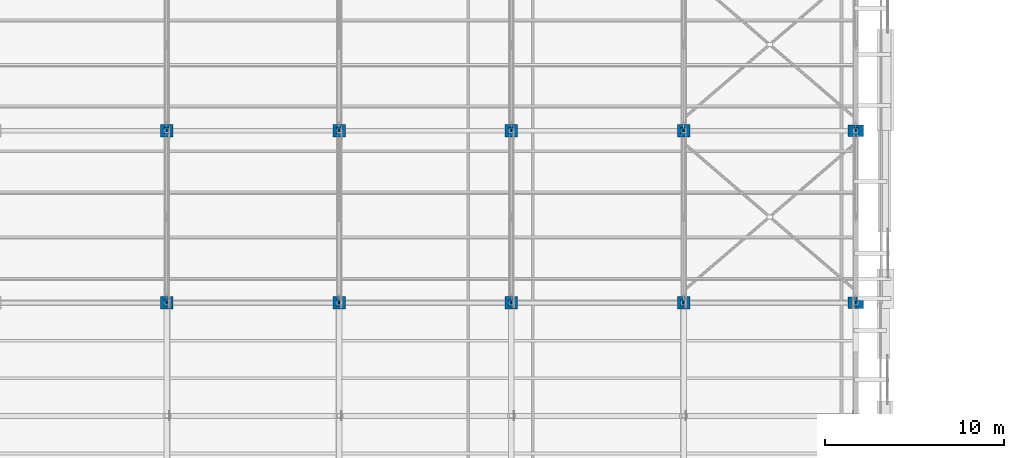
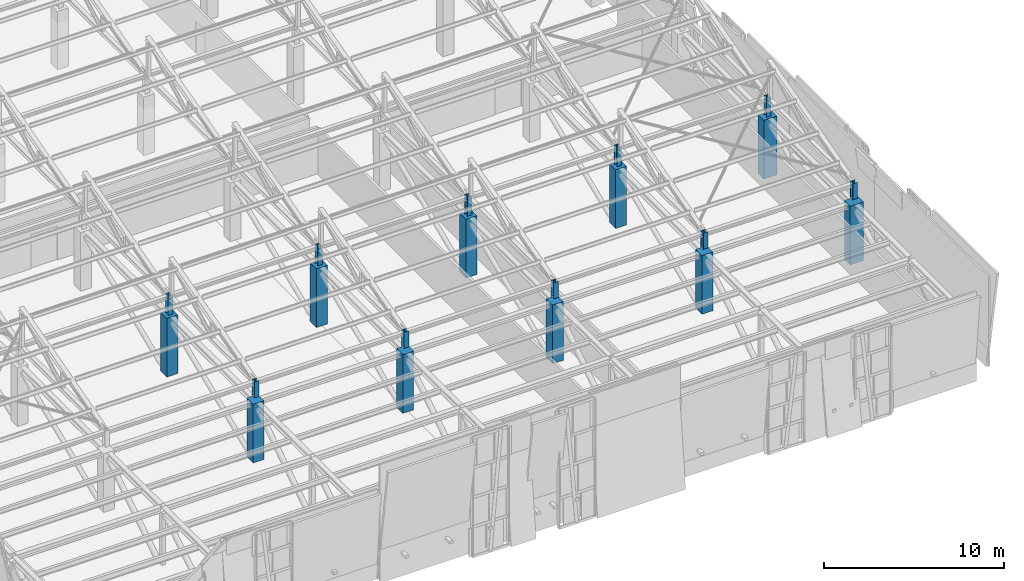
# One storey, part 4 of 71: 20 columns.
"""IFC4 building model written with IfcOpenShell, lengths in metres."""

from ifc_helpers import new_model, si_unit, direction, frame, origin, origin_2d, place, context, subcontext, project, spatial, rectangle, i_section, extrude, material, material_profile, profile_set, type_object, element, save


model = new_model("IFC4")

# Units and contexts
model_context = context("Model", 3, precision=1e-05, world=origin(), true_north=direction((0.0, 1.0)))
body_context = subcontext(model_context, "Body", "Model", "MODEL_VIEW")
ifc_project = project(units=[si_unit("LENGTHUNIT", "METRE"), si_unit("AREAUNIT", "SQUARE_METRE"), si_unit("VOLUMEUNIT", "CUBIC_METRE"), si_unit("PLANEANGLEUNIT", "RADIAN"), si_unit("MASSUNIT", "GRAM", prefix="KILO")], contexts=[model_context])

# Site, building, storey
site_placement = place(None, origin())
site = spatial("IfcSite", under=ifc_project, at=site_placement, CompositionType="ELEMENT")
building_placement = place(site_placement, origin())
building = spatial("IfcBuilding", under=site, at=building_placement, Name="Bempovik Park Faculty of Sciences", CompositionType="ELEMENT")
storey_placement = place(building_placement, frame((0.0, 0.0, 14.10009765625)))
storey = spatial("IfcBuildingStorey", under=building, at=storey_placement, Name="L03", CompositionType="ELEMENT", Elevation=14.10009765625)

# Columns
ifc_material_1 = material(Name="Steel S355", Category="steel")
ifc_material_profile_1 = material_profile(ifc_material_1, i_section(OverallWidth=0.300048828125, OverallDepth=0.300048828125, WebThickness=0.010986328125, FlangeThickness=0.01904296875, at=origin_2d()), Name="HEB 300")
ifc_profile_set_1 = profile_set([ifc_material_profile_1], Name="Steel S355")
column_type_1 = type_object("IfcColumnType", Name="C-14 HEB 300", PredefinedType="COLUMN", material=ifc_profile_set_1)
column_1_placement = place(storey_placement, frame((79.199951171875, 19.800048828125, 4.205810546875), z_axis=(0.0, 0.0, 1.0), x_axis=(1.0, 0.0, 0.0)))
element("IfcColumn", 1, at=column_1_placement, inside=storey, type_object=column_type_1, Name="Sawtooth Clerestory Steel Column V1 (79.2,19.8)", PredefinedType="COLUMN", context=body_context, shape_type="SweptSolid", body=[
    extrude(i_section(OverallWidth=0.300048828125, OverallDepth=0.300048828125, WebThickness=0.010986328125, FlangeThickness=0.01904296875, at=origin_2d()), origin(), (0.0, 0.0, 1.0), 1.093994140625),
])
column_2_placement = place(storey_placement, frame((79.199951171875, 29.39990234375, 3.98583984375), z_axis=(0.0, 0.0, 1.0), x_axis=(1.0, 0.0, 0.0)))
element("IfcColumn", 2, at=column_2_placement, inside=storey, type_object=column_type_1, Name="Sawtooth Clerestory Steel Column V1 (79.2,29.4)", PredefinedType="COLUMN", context=body_context, shape_type="SweptSolid", body=[
    extrude(i_section(OverallWidth=0.300048828125, OverallDepth=0.300048828125, WebThickness=0.010986328125, FlangeThickness=0.01904296875, at=origin_2d()), origin(), (0.0, 0.0, 1.0), 1.31396484375),
])
column_3_placement = place(storey_placement, frame((88.800048828125, 19.800048828125, 4.205810546875), z_axis=(0.0, 0.0, 1.0), x_axis=(1.0, 0.0, 0.0)))
element("IfcColumn", 3, at=column_3_placement, inside=storey, type_object=column_type_1, Name="Sawtooth Clerestory Steel Column V1 (88.8,19.8)", PredefinedType="COLUMN", context=body_context, shape_type="SweptSolid", body=[
    extrude(i_section(OverallWidth=0.300048828125, OverallDepth=0.300048828125, WebThickness=0.010986328125, FlangeThickness=0.01904296875, at=origin_2d()), origin(), (0.0, 0.0, 1.0), 1.093994140625),
])
column_4_placement = place(storey_placement, frame((88.800048828125, 29.39990234375, 3.98583984375), z_axis=(0.0, 0.0, 1.0), x_axis=(1.0, 0.0, 0.0)))
element("IfcColumn", 4, at=column_4_placement, inside=storey, type_object=column_type_1, Name="Sawtooth Clerestory Steel Column V1 (88.8,29.4)", PredefinedType="COLUMN", context=body_context, shape_type="SweptSolid", body=[
    extrude(i_section(OverallWidth=0.300048828125, OverallDepth=0.300048828125, WebThickness=0.010986328125, FlangeThickness=0.01904296875, at=origin_2d()), origin(), (0.0, 0.0, 1.0), 1.31396484375),
])
column_5_placement = place(storey_placement, frame((98.39990234375, 19.800048828125, 4.205810546875), z_axis=(0.0, 0.0, 1.0), x_axis=(1.0, 0.0, 0.0)))
element("IfcColumn", 5, at=column_5_placement, inside=storey, type_object=column_type_1, Name="Sawtooth Clerestory Steel Column V1 (98.4,19.8)", PredefinedType="COLUMN", context=body_context, shape_type="SweptSolid", body=[
    extrude(i_section(OverallWidth=0.300048828125, OverallDepth=0.300048828125, WebThickness=0.010986328125, FlangeThickness=0.01904296875, at=origin_2d()), origin(), (0.0, 0.0, 1.0), 1.093994140625),
])
column_6_placement = place(storey_placement, frame((98.39990234375, 29.39990234375, 3.98583984375), z_axis=(0.0, 0.0, 1.0), x_axis=(1.0, 0.0, 0.0)))
element("IfcColumn", 6, at=column_6_placement, inside=storey, type_object=column_type_1, Name="Sawtooth Clerestory Steel Column V1 (98.4,29.4)", PredefinedType="COLUMN", context=body_context, shape_type="SweptSolid", body=[
    extrude(i_section(OverallWidth=0.300048828125, OverallDepth=0.300048828125, WebThickness=0.010986328125, FlangeThickness=0.01904296875, at=origin_2d()), origin(), (0.0, 0.0, 1.0), 1.31396484375),
])
column_7_placement = place(storey_placement, frame((108.0, 19.800048828125, 4.205810546875), z_axis=(0.0, 0.0, 1.0), x_axis=(1.0, 0.0, 0.0)))
element("IfcColumn", 7, at=column_7_placement, inside=storey, type_object=column_type_1, Name="Sawtooth Clerestory Steel Column V1 (108.0,19.8)", PredefinedType="COLUMN", context=body_context, shape_type="SweptSolid", body=[
    extrude(i_section(OverallWidth=0.300048828125, OverallDepth=0.300048828125, WebThickness=0.010986328125, FlangeThickness=0.01904296875, at=origin_2d()), origin(), (0.0, 0.0, 1.0), 1.093994140625),
])
column_8_placement = place(storey_placement, frame((108.0, 29.39990234375, 3.98583984375), z_axis=(0.0, 0.0, 1.0), x_axis=(1.0, 0.0, 0.0)))
element("IfcColumn", 8, at=column_8_placement, inside=storey, type_object=column_type_1, Name="Sawtooth Clerestory Steel Column V1 (108.0,29.4)", PredefinedType="COLUMN", context=body_context, shape_type="SweptSolid", body=[
    extrude(i_section(OverallWidth=0.300048828125, OverallDepth=0.300048828125, WebThickness=0.010986328125, FlangeThickness=0.01904296875, at=origin_2d()), origin(), (0.0, 0.0, 1.0), 1.31396484375),
])
column_9_placement = place(storey_placement, frame((117.60009765625, 19.800048828125, 4.205810546875), z_axis=(0.0, 0.0, 1.0), x_axis=(1.0, 0.0, 0.0)))
element("IfcColumn", 9, at=column_9_placement, inside=storey, type_object=column_type_1, Name="Sawtooth Clerestory Steel Column V1 (117.6,19.8)", PredefinedType="COLUMN", context=body_context, shape_type="SweptSolid", body=[
    extrude(i_section(OverallWidth=0.300048828125, OverallDepth=0.300048828125, WebThickness=0.010986328125, FlangeThickness=0.01904296875, at=origin_2d()), origin(), (0.0, 0.0, 1.0), 1.093994140625),
])
column_10_placement = place(storey_placement, frame((117.60009765625, 29.39990234375, 3.98583984375), z_axis=(0.0, 0.0, 1.0), x_axis=(1.0, 0.0, 0.0)))
element("IfcColumn", 10, at=column_10_placement, inside=storey, type_object=column_type_1, Name="Sawtooth Clerestory Steel Column V1 (117.6,29.4)", PredefinedType="COLUMN", context=body_context, shape_type="SweptSolid", body=[
    extrude(i_section(OverallWidth=0.300048828125, OverallDepth=0.300048828125, WebThickness=0.010986328125, FlangeThickness=0.01904296875, at=origin_2d()), origin(), (0.0, 0.0, 1.0), 1.31396484375),
])
ifc_material_2 = material(Name="Concrete C40/50", Category="concrete")
ifc_material_profile_2 = material_profile(ifc_material_2, rectangle(XDim=0.699951171875, YDim=0.699951171875, at=origin_2d()), Name="RC 700x700")
ifc_profile_set_2 = profile_set([ifc_material_profile_2], Name="Concrete C40/50")
column_type_2 = type_object("IfcColumnType", Name="C-34 RC 700x700", PredefinedType="COLUMN", material=ifc_profile_set_2)
for number, where, z_axis, x_axis, name in (
    (11, (79.199951171875, 19.800048828125, 0.0), (0.0, 0.0, 1.0), (1.0, 0.0, 0.0), "L03 Structural Column (79.2,19.8)"),
    (12, (79.199951171875, 29.39990234375, 0.0), (0.0, 0.0, 1.0), (1.0, 0.0, 0.0), "L03 Structural Column (79.2,29.4)"),
    (13, (88.800048828125, 19.800048828125, 0.0), (0.0, 0.0, 1.0), (1.0, 0.0, 0.0), "L03 Structural Column (88.8,19.8)"),
    (14, (88.800048828125, 29.39990234375, 0.0), (0.0, 0.0, 1.0), (1.0, 0.0, 0.0), "L03 Structural Column (88.8,29.4)"),
    (15, (98.39990234375, 19.800048828125, 0.0), (0.0, 0.0, 1.0), (1.0, 0.0, 0.0), "L03 Structural Column (98.4,19.8)"),
    (16, (98.39990234375, 29.39990234375, 0.0), (0.0, 0.0, 1.0), (1.0, 0.0, 0.0), "L03 Structural Column (98.4,29.4)"),
    (17, (108.0, 19.800048828125, 0.0), (0.0, 0.0, 1.0), (1.0, 0.0, 0.0), "L03 Structural Column (108.0,19.8)"),
    (18, (108.0, 29.39990234375, 0.0), (0.0, 0.0, 1.0), (1.0, 0.0, 0.0), "L03 Structural Column (108.0,29.4)"),
):
    element("IfcColumn", number, at=place(storey_placement, frame(where, z_axis=z_axis, x_axis=x_axis)), inside=storey, type_object=column_type_2, Name=name, PredefinedType="COLUMN", context=body_context, shape_type="SweptSolid", body=[
        extrude(rectangle(XDim=0.699951171875, YDim=0.699951171875, at=origin_2d()), origin(), (0.0, 0.0, 1.0), 3.97998046875),
    ])
ifc_material_profile_3 = material_profile(ifc_material_2, rectangle(XDim=0.85009765625, YDim=0.64990234375, at=origin_2d()), Name="RC 850x650")
ifc_profile_set_3 = profile_set([ifc_material_profile_3], Name="Concrete C40/50")
column_type_3 = type_object("IfcColumnType", Name="C-71 RC 850x650", PredefinedType="COLUMN", material=ifc_profile_set_3)
for number, where, z_axis, x_axis, name in (
    (19, (117.60009765625, 19.800048828125, 0.0), (0.0, 0.0, 1.0), (1.0, 0.0, 0.0), "L03 Structural Column (117.6,19.8)"),
    (20, (117.60009765625, 29.39990234375, 0.0), (0.0, 0.0, 1.0), (1.0, 0.0, 0.0), "L03 Structural Column (117.6,29.4)"),
):
    element("IfcColumn", number, at=place(storey_placement, frame(where, z_axis=z_axis, x_axis=x_axis)), inside=storey, type_object=column_type_3, Name=name, PredefinedType="COLUMN", context=body_context, shape_type="SweptSolid", body=[
        extrude(rectangle(XDim=0.85009765625, YDim=0.64990234375, at=origin_2d()), origin(), (0.0, 0.0, 1.0), 3.97998046875),
    ])

save(model, "model.ifc")
